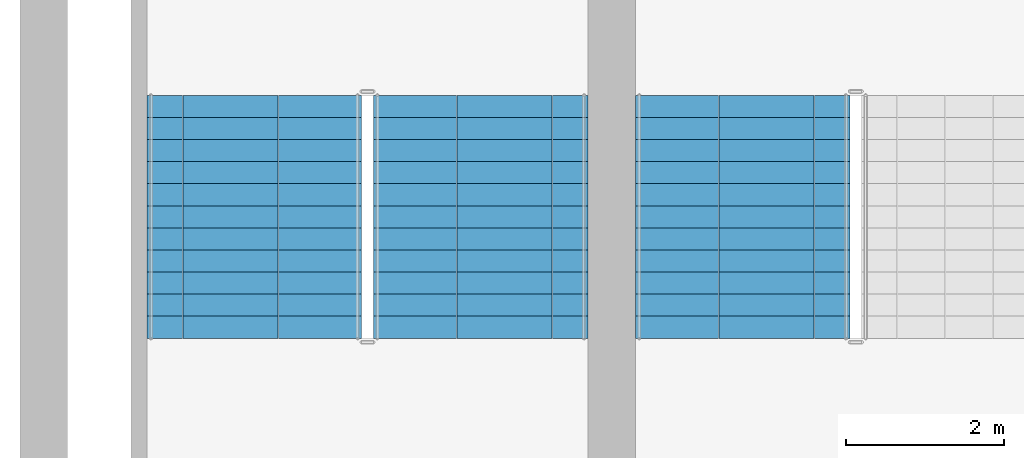
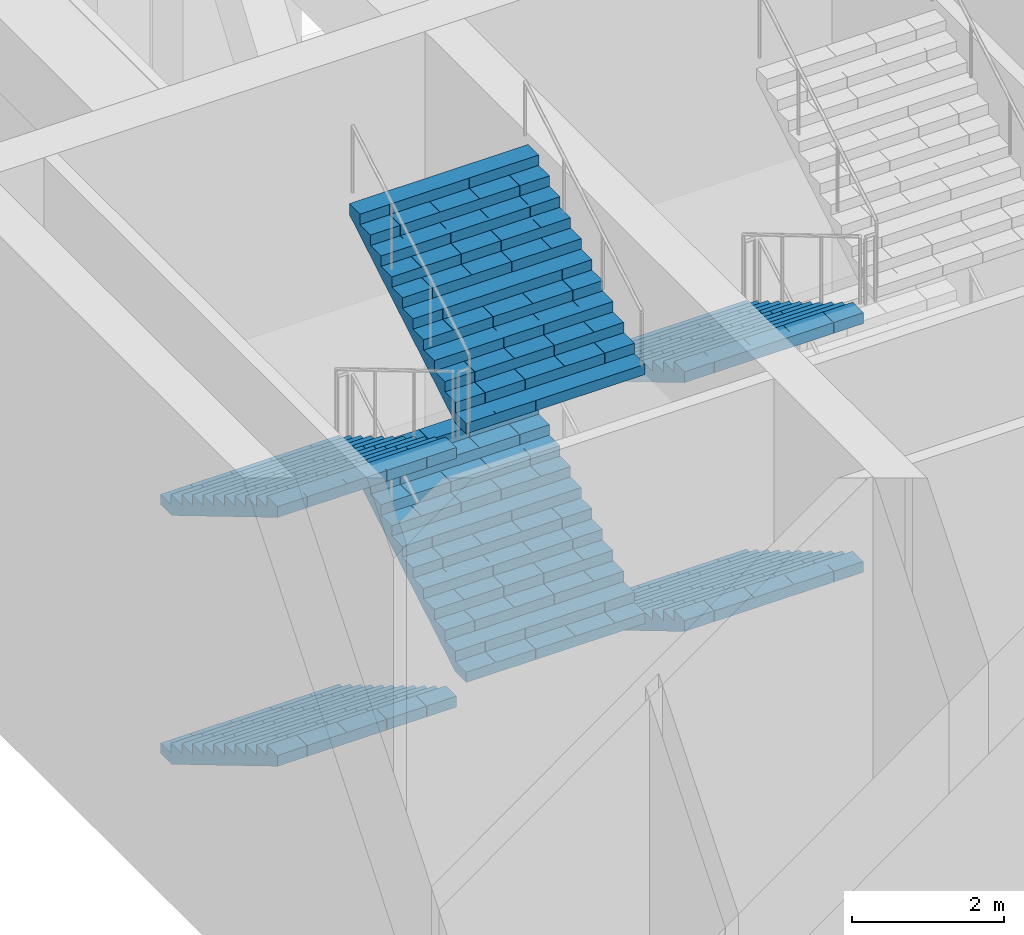
# One storey, part 12 of 20: 6 stair flights, 2 elements without a shape of their own.
"""IFC4 building model written with IfcOpenShell, lengths in metres."""

from ifc_helpers import new_model, si_unit, direction, frame, origin, place, context, subcontext, project, spatial, polyline, outline, extrude, material, type_object, element, aggregate, save


model = new_model("IFC4")

# Units and contexts
model_context = context("Model", 3, precision=1e-05, world=origin(), true_north=direction((0.0, 1.0)))
body_context = subcontext(model_context, "Body", "Model", "MODEL_VIEW")
ifc_project = project(units=[si_unit("LENGTHUNIT", "METRE"), si_unit("AREAUNIT", "SQUARE_METRE"), si_unit("VOLUMEUNIT", "CUBIC_METRE"), si_unit("PLANEANGLEUNIT", "RADIAN"), si_unit("MASSUNIT", "GRAM", prefix="KILO")], contexts=[model_context])

# Site, building, storey
site_placement = place(None, origin())
site = spatial("IfcSite", under=ifc_project, at=site_placement, CompositionType="ELEMENT")
building_placement = place(site_placement, origin())
building = spatial("IfcBuilding", under=site, at=building_placement, Name="Corbelhall Arena Tower", CompositionType="ELEMENT")
storey_placement = place(building_placement, frame((0.0, 0.0, 52.0)))
storey = spatial("IfcBuildingStorey", under=building, at=storey_placement, Name="L07", CompositionType="ELEMENT", Elevation=52.0)

# Stair, stair flights
ifc_material = material(Name="Reinforced concrete C40/50", Category="concrete")
stair_type = type_object("IfcStairType", Name="AR-EXIT-STAIR", PredefinedType="HALF_TURN_STAIR", material=ifc_material)
stair_1_placement = place(storey_placement, origin())
stair_1 = element("IfcStair", 1, at=stair_1_placement, inside=storey, type_object=stair_type, Name="L07 exit stair AS7", PredefinedType="HALF_TURN_STAIR")
stair_flight_type = type_object("IfcStairFlightType", Name="AR-EXIT-FLIGHT", PredefinedType="STRAIGHT", material=ifc_material)
stair_flight_1_placement = place(storey_placement, frame((-38.840087890625, -27.320068359375, 0.0), z_axis=(0.0, 0.0, 1.0), x_axis=(0.0, -1.0, 0.0)))
stair_flight_1 = element("IfcStairFlight", 2, at=stair_flight_1_placement, type_object=stair_flight_type, Name="AS7 flight 1", NumberOfRisers=12, NumberOfTreads=11, PredefinedType="STRAIGHT", RiserHeight=0.166666667, TreadLength=0.28, context=body_context, shape_type="SweptSolid", body=[
    extrude(outline(polyline([(0.0, 0.0), (0.0, 0.166748046875), (0.280029296875, 0.166748046875), (0.280029296875, 0.333251953125), (0.56005859375, 0.333251953125), (0.56005859375, 0.5), (0.840087890625, 0.5), (0.840087890625, 0.666748046875), (1.1201171875, 0.666748046875), (1.1201171875, 0.833251953125), (1.39990234375, 0.833251953125), (1.39990234375, 1.0), (1.679931640625, 1.0), (1.679931640625, 1.166748046875), (1.9599609375, 1.166748046875), (1.9599609375, 1.333251953125), (2.239990234375, 1.333251953125), (2.239990234375, 1.5), (2.52001953125, 1.5), (2.52001953125, 1.666748046875), (2.800048828125, 1.666748046875), (2.800048828125, 1.833251953125), (3.080078125, 1.833251953125), (3.080078125, 2.0), (3.080078125, 1.658935546875), (0.29296875, 0.0), (0.0, 0.0)])), frame((0.0, 1.35986328125, 0.0), z_axis=(0.0, -1.0, 0.0), x_axis=(1.0, 0.0, 0.0)), (0.0, 0.0, 1.0), 0.449951171875),
    extrude(outline(polyline([(0.0, 0.0), (0.0, 0.166748046875), (0.280029296875, 0.166748046875), (0.280029296875, 0.333251953125), (0.56005859375, 0.333251953125), (0.56005859375, 0.5), (0.840087890625, 0.5), (0.840087890625, 0.666748046875), (1.1201171875, 0.666748046875), (1.1201171875, 0.833251953125), (1.39990234375, 0.833251953125), (1.39990234375, 1.0), (1.679931640625, 1.0), (1.679931640625, 1.166748046875), (1.9599609375, 1.166748046875), (1.9599609375, 1.333251953125), (2.239990234375, 1.333251953125), (2.239990234375, 1.5), (2.52001953125, 1.5), (2.52001953125, 1.666748046875), (2.800048828125, 1.666748046875), (2.800048828125, 1.833251953125), (3.080078125, 1.833251953125), (3.080078125, 2.0), (3.080078125, 1.658935546875), (0.29296875, 0.0), (0.0, 0.0)])), frame((0.0, 0.906005859375, 0.0), z_axis=(0.0, -1.0, 0.0), x_axis=(1.0, 0.0, 0.0)), (0.0, 0.0, 1.0), 0.601318359375),
    extrude(outline(polyline([(0.0, 0.0), (0.0, 0.166748046875), (0.280029296875, 0.166748046875), (0.280029296875, 0.333251953125), (0.56005859375, 0.333251953125), (0.56005859375, 0.5), (0.840087890625, 0.5), (0.840087890625, 0.666748046875), (1.1201171875, 0.666748046875), (1.1201171875, 0.833251953125), (1.39990234375, 0.833251953125), (1.39990234375, 1.0), (1.679931640625, 1.0), (1.679931640625, 1.166748046875), (1.9599609375, 1.166748046875), (1.9599609375, 1.333251953125), (2.239990234375, 1.333251953125), (2.239990234375, 1.5), (2.52001953125, 1.5), (2.52001953125, 1.666748046875), (2.800048828125, 1.666748046875), (2.800048828125, 1.833251953125), (3.080078125, 1.833251953125), (3.080078125, 2.0), (3.080078125, 1.658935546875), (0.29296875, 0.0), (0.0, 0.0)])), frame((0.0, 0.30078125, 0.0), z_axis=(0.0, -1.0, 0.0), x_axis=(1.0, 0.0, 0.0)), (0.0, 0.0, 1.0), 0.601318359375),
    extrude(outline(polyline([(0.0, 0.0), (0.0, 0.166748046875), (0.280029296875, 0.166748046875), (0.280029296875, 0.333251953125), (0.56005859375, 0.333251953125), (0.56005859375, 0.5), (0.840087890625, 0.5), (0.840087890625, 0.666748046875), (1.1201171875, 0.666748046875), (1.1201171875, 0.833251953125), (1.39990234375, 0.833251953125), (1.39990234375, 1.0), (1.679931640625, 1.0), (1.679931640625, 1.166748046875), (1.9599609375, 1.166748046875), (1.9599609375, 1.333251953125), (2.239990234375, 1.333251953125), (2.239990234375, 1.5), (2.52001953125, 1.5), (2.52001953125, 1.666748046875), (2.800048828125, 1.666748046875), (2.800048828125, 1.833251953125), (3.080078125, 1.833251953125), (3.080078125, 2.0), (3.080078125, 1.658935546875), (0.29296875, 0.0), (0.0, 0.0)])), frame((0.0, -0.3046875, 0.0), z_axis=(0.0, -1.0, 0.0), x_axis=(1.0, 0.0, 0.0)), (0.0, 0.0, 1.0), 0.601318359375),
    extrude(outline(polyline([(0.0, 0.0), (0.0, 0.166748046875), (0.280029296875, 0.166748046875), (0.280029296875, 0.333251953125), (0.56005859375, 0.333251953125), (0.56005859375, 0.5), (0.840087890625, 0.5), (0.840087890625, 0.666748046875), (1.1201171875, 0.666748046875), (1.1201171875, 0.833251953125), (1.39990234375, 0.833251953125), (1.39990234375, 1.0), (1.679931640625, 1.0), (1.679931640625, 1.166748046875), (1.9599609375, 1.166748046875), (1.9599609375, 1.333251953125), (2.239990234375, 1.333251953125), (2.239990234375, 1.5), (2.52001953125, 1.5), (2.52001953125, 1.666748046875), (2.800048828125, 1.666748046875), (2.800048828125, 1.833251953125), (3.080078125, 1.833251953125), (3.080078125, 2.0), (3.080078125, 1.658935546875), (0.29296875, 0.0), (0.0, 0.0)])), frame((0.0, -0.909912109375, 0.0), z_axis=(0.0, -1.0, 0.0), x_axis=(1.0, 0.0, 0.0)), (0.0, 0.0, 1.0), 0.449951171875),
])
stair_flight_2_placement = place(storey_placement, frame((-38.840087890625, -27.320068359375, 4.0), z_axis=(0.0, 0.0, 1.0), x_axis=(0.0, -1.0, 0.0)))
stair_flight_2 = element("IfcStairFlight", 3, at=stair_flight_2_placement, type_object=stair_flight_type, Name="AS7 flight 3", NumberOfRisers=12, NumberOfTreads=11, PredefinedType="STRAIGHT", RiserHeight=0.166666667, TreadLength=0.28, context=body_context, shape_type="SweptSolid", body=[
    extrude(outline(polyline([(0.0, 0.0), (0.0, 0.166748046875), (0.280029296875, 0.166748046875), (0.280029296875, 0.333251953125), (0.56005859375, 0.333251953125), (0.56005859375, 0.5), (0.840087890625, 0.5), (0.840087890625, 0.666748046875), (1.1201171875, 0.666748046875), (1.1201171875, 0.833251953125), (1.39990234375, 0.833251953125), (1.39990234375, 1.0), (1.679931640625, 1.0), (1.679931640625, 1.166748046875), (1.9599609375, 1.166748046875), (1.9599609375, 1.333251953125), (2.239990234375, 1.333251953125), (2.239990234375, 1.5), (2.52001953125, 1.5), (2.52001953125, 1.666748046875), (2.800048828125, 1.666748046875), (2.800048828125, 1.833251953125), (3.080078125, 1.833251953125), (3.080078125, 2.0), (3.080078125, 1.658935546875), (0.29296875, 0.0), (0.0, 0.0)])), frame((0.0, 1.35986328125, 0.0), z_axis=(0.0, -1.0, 0.0), x_axis=(1.0, 0.0, 0.0)), (0.0, 0.0, 1.0), 0.449951171875),
    extrude(outline(polyline([(0.0, 0.0), (0.0, 0.166748046875), (0.280029296875, 0.166748046875), (0.280029296875, 0.333251953125), (0.56005859375, 0.333251953125), (0.56005859375, 0.5), (0.840087890625, 0.5), (0.840087890625, 0.666748046875), (1.1201171875, 0.666748046875), (1.1201171875, 0.833251953125), (1.39990234375, 0.833251953125), (1.39990234375, 1.0), (1.679931640625, 1.0), (1.679931640625, 1.166748046875), (1.9599609375, 1.166748046875), (1.9599609375, 1.333251953125), (2.239990234375, 1.333251953125), (2.239990234375, 1.5), (2.52001953125, 1.5), (2.52001953125, 1.666748046875), (2.800048828125, 1.666748046875), (2.800048828125, 1.833251953125), (3.080078125, 1.833251953125), (3.080078125, 2.0), (3.080078125, 1.658935546875), (0.29296875, 0.0), (0.0, 0.0)])), frame((0.0, 0.906005859375, 0.0), z_axis=(0.0, -1.0, 0.0), x_axis=(1.0, 0.0, 0.0)), (0.0, 0.0, 1.0), 0.601318359375),
    extrude(outline(polyline([(0.0, 0.0), (0.0, 0.166748046875), (0.280029296875, 0.166748046875), (0.280029296875, 0.333251953125), (0.56005859375, 0.333251953125), (0.56005859375, 0.5), (0.840087890625, 0.5), (0.840087890625, 0.666748046875), (1.1201171875, 0.666748046875), (1.1201171875, 0.833251953125), (1.39990234375, 0.833251953125), (1.39990234375, 1.0), (1.679931640625, 1.0), (1.679931640625, 1.166748046875), (1.9599609375, 1.166748046875), (1.9599609375, 1.333251953125), (2.239990234375, 1.333251953125), (2.239990234375, 1.5), (2.52001953125, 1.5), (2.52001953125, 1.666748046875), (2.800048828125, 1.666748046875), (2.800048828125, 1.833251953125), (3.080078125, 1.833251953125), (3.080078125, 2.0), (3.080078125, 1.658935546875), (0.29296875, 0.0), (0.0, 0.0)])), frame((0.0, 0.30078125, 0.0), z_axis=(0.0, -1.0, 0.0), x_axis=(1.0, 0.0, 0.0)), (0.0, 0.0, 1.0), 0.601318359375),
    extrude(outline(polyline([(0.0, 0.0), (0.0, 0.166748046875), (0.280029296875, 0.166748046875), (0.280029296875, 0.333251953125), (0.56005859375, 0.333251953125), (0.56005859375, 0.5), (0.840087890625, 0.5), (0.840087890625, 0.666748046875), (1.1201171875, 0.666748046875), (1.1201171875, 0.833251953125), (1.39990234375, 0.833251953125), (1.39990234375, 1.0), (1.679931640625, 1.0), (1.679931640625, 1.166748046875), (1.9599609375, 1.166748046875), (1.9599609375, 1.333251953125), (2.239990234375, 1.333251953125), (2.239990234375, 1.5), (2.52001953125, 1.5), (2.52001953125, 1.666748046875), (2.800048828125, 1.666748046875), (2.800048828125, 1.833251953125), (3.080078125, 1.833251953125), (3.080078125, 2.0), (3.080078125, 1.658935546875), (0.29296875, 0.0), (0.0, 0.0)])), frame((0.0, -0.3046875, 0.0), z_axis=(0.0, -1.0, 0.0), x_axis=(1.0, 0.0, 0.0)), (0.0, 0.0, 1.0), 0.601318359375),
    extrude(outline(polyline([(0.0, 0.0), (0.0, 0.166748046875), (0.280029296875, 0.166748046875), (0.280029296875, 0.333251953125), (0.56005859375, 0.333251953125), (0.56005859375, 0.5), (0.840087890625, 0.5), (0.840087890625, 0.666748046875), (1.1201171875, 0.666748046875), (1.1201171875, 0.833251953125), (1.39990234375, 0.833251953125), (1.39990234375, 1.0), (1.679931640625, 1.0), (1.679931640625, 1.166748046875), (1.9599609375, 1.166748046875), (1.9599609375, 1.333251953125), (2.239990234375, 1.333251953125), (2.239990234375, 1.5), (2.52001953125, 1.5), (2.52001953125, 1.666748046875), (2.800048828125, 1.666748046875), (2.800048828125, 1.833251953125), (3.080078125, 1.833251953125), (3.080078125, 2.0), (3.080078125, 1.658935546875), (0.29296875, 0.0), (0.0, 0.0)])), frame((0.0, -0.909912109375, 0.0), z_axis=(0.0, -1.0, 0.0), x_axis=(1.0, 0.0, 0.0)), (0.0, 0.0, 1.0), 0.449951171875),
])
aggregate(stair_1, [stair_flight_1, stair_flight_2])

stair_2_placement = place(storey_placement, origin())
stair_2 = element("IfcStair", 4, at=stair_2_placement, inside=storey, type_object=stair_type, Name="L07 exit stair AS8", PredefinedType="HALF_TURN_STAIR")
stair_flight_3_placement = place(storey_placement, frame((-45.030029296875, -27.320068359375, 0.0), z_axis=(0.0, 0.0, 1.0), x_axis=(0.0, -1.0, 0.0)))
stair_flight_3 = element("IfcStairFlight", 5, at=stair_flight_3_placement, type_object=stair_flight_type, Name="AS8 flight 1", NumberOfRisers=12, NumberOfTreads=11, PredefinedType="STRAIGHT", RiserHeight=0.166666667, TreadLength=0.28, context=body_context, shape_type="SweptSolid", body=[
    extrude(outline(polyline([(0.0, 0.0), (0.0, 0.166748046875), (0.280029296875, 0.166748046875), (0.280029296875, 0.333251953125), (0.56005859375, 0.333251953125), (0.56005859375, 0.5), (0.840087890625, 0.5), (0.840087890625, 0.666748046875), (1.1201171875, 0.666748046875), (1.1201171875, 0.833251953125), (1.39990234375, 0.833251953125), (1.39990234375, 1.0), (1.679931640625, 1.0), (1.679931640625, 1.166748046875), (1.9599609375, 1.166748046875), (1.9599609375, 1.333251953125), (2.239990234375, 1.333251953125), (2.239990234375, 1.5), (2.52001953125, 1.5), (2.52001953125, 1.666748046875), (2.800048828125, 1.666748046875), (2.800048828125, 1.833251953125), (3.080078125, 1.833251953125), (3.080078125, 2.0), (3.080078125, 1.658935546875), (0.29296875, 0.0), (0.0, 0.0)])), frame((0.0, 1.35986328125, 0.0), z_axis=(0.0, -1.0, 0.0), x_axis=(1.0, 0.0, 0.0)), (0.0, 0.0, 1.0), 0.449951171875),
    extrude(outline(polyline([(0.0, 0.0), (0.0, 0.166748046875), (0.280029296875, 0.166748046875), (0.280029296875, 0.333251953125), (0.56005859375, 0.333251953125), (0.56005859375, 0.5), (0.840087890625, 0.5), (0.840087890625, 0.666748046875), (1.1201171875, 0.666748046875), (1.1201171875, 0.833251953125), (1.39990234375, 0.833251953125), (1.39990234375, 1.0), (1.679931640625, 1.0), (1.679931640625, 1.166748046875), (1.9599609375, 1.166748046875), (1.9599609375, 1.333251953125), (2.239990234375, 1.333251953125), (2.239990234375, 1.5), (2.52001953125, 1.5), (2.52001953125, 1.666748046875), (2.800048828125, 1.666748046875), (2.800048828125, 1.833251953125), (3.080078125, 1.833251953125), (3.080078125, 2.0), (3.080078125, 1.658935546875), (0.29296875, 0.0), (0.0, 0.0)])), frame((0.0, 0.906005859375, 0.0), z_axis=(0.0, -1.0, 0.0), x_axis=(1.0, 0.0, 0.0)), (0.0, 0.0, 1.0), 0.601318359375),
    extrude(outline(polyline([(0.0, 0.0), (0.0, 0.166748046875), (0.280029296875, 0.166748046875), (0.280029296875, 0.333251953125), (0.56005859375, 0.333251953125), (0.56005859375, 0.5), (0.840087890625, 0.5), (0.840087890625, 0.666748046875), (1.1201171875, 0.666748046875), (1.1201171875, 0.833251953125), (1.39990234375, 0.833251953125), (1.39990234375, 1.0), (1.679931640625, 1.0), (1.679931640625, 1.166748046875), (1.9599609375, 1.166748046875), (1.9599609375, 1.333251953125), (2.239990234375, 1.333251953125), (2.239990234375, 1.5), (2.52001953125, 1.5), (2.52001953125, 1.666748046875), (2.800048828125, 1.666748046875), (2.800048828125, 1.833251953125), (3.080078125, 1.833251953125), (3.080078125, 2.0), (3.080078125, 1.658935546875), (0.29296875, 0.0), (0.0, 0.0)])), frame((0.0, 0.30078125, 0.0), z_axis=(0.0, -1.0, 0.0), x_axis=(1.0, 0.0, 0.0)), (0.0, 0.0, 1.0), 0.601318359375),
    extrude(outline(polyline([(0.0, 0.0), (0.0, 0.166748046875), (0.280029296875, 0.166748046875), (0.280029296875, 0.333251953125), (0.56005859375, 0.333251953125), (0.56005859375, 0.5), (0.840087890625, 0.5), (0.840087890625, 0.666748046875), (1.1201171875, 0.666748046875), (1.1201171875, 0.833251953125), (1.39990234375, 0.833251953125), (1.39990234375, 1.0), (1.679931640625, 1.0), (1.679931640625, 1.166748046875), (1.9599609375, 1.166748046875), (1.9599609375, 1.333251953125), (2.239990234375, 1.333251953125), (2.239990234375, 1.5), (2.52001953125, 1.5), (2.52001953125, 1.666748046875), (2.800048828125, 1.666748046875), (2.800048828125, 1.833251953125), (3.080078125, 1.833251953125), (3.080078125, 2.0), (3.080078125, 1.658935546875), (0.29296875, 0.0), (0.0, 0.0)])), frame((0.0, -0.3046875, 0.0), z_axis=(0.0, -1.0, 0.0), x_axis=(1.0, 0.0, 0.0)), (0.0, 0.0, 1.0), 0.601318359375),
    extrude(outline(polyline([(0.0, 0.0), (0.0, 0.166748046875), (0.280029296875, 0.166748046875), (0.280029296875, 0.333251953125), (0.56005859375, 0.333251953125), (0.56005859375, 0.5), (0.840087890625, 0.5), (0.840087890625, 0.666748046875), (1.1201171875, 0.666748046875), (1.1201171875, 0.833251953125), (1.39990234375, 0.833251953125), (1.39990234375, 1.0), (1.679931640625, 1.0), (1.679931640625, 1.166748046875), (1.9599609375, 1.166748046875), (1.9599609375, 1.333251953125), (2.239990234375, 1.333251953125), (2.239990234375, 1.5), (2.52001953125, 1.5), (2.52001953125, 1.666748046875), (2.800048828125, 1.666748046875), (2.800048828125, 1.833251953125), (3.080078125, 1.833251953125), (3.080078125, 2.0), (3.080078125, 1.658935546875), (0.29296875, 0.0), (0.0, 0.0)])), frame((0.0, -0.909912109375, 0.0), z_axis=(0.0, -1.0, 0.0), x_axis=(1.0, 0.0, 0.0)), (0.0, 0.0, 1.0), 0.449951171875),
])
stair_flight_4_placement = place(storey_placement, frame((-42.159912109375, -30.39990234375, 2.0), z_axis=(0.0, 0.0, 1.0), x_axis=(0.0, 1.0, 0.0)))
stair_flight_4 = element("IfcStairFlight", 6, at=stair_flight_4_placement, type_object=stair_flight_type, Name="AS8 flight 2", NumberOfRisers=12, NumberOfTreads=11, PredefinedType="STRAIGHT", RiserHeight=0.166666667, TreadLength=0.28, context=body_context, shape_type="SweptSolid", body=[
    extrude(outline(polyline([(0.0, 0.0), (0.0, 0.166748046875), (0.280029296875, 0.166748046875), (0.280029296875, 0.333251953125), (0.56005859375, 0.333251953125), (0.56005859375, 0.5), (0.840087890625, 0.5), (0.840087890625, 0.666748046875), (1.1201171875, 0.666748046875), (1.1201171875, 0.833251953125), (1.39990234375, 0.833251953125), (1.39990234375, 1.0), (1.679931640625, 1.0), (1.679931640625, 1.166748046875), (1.9599609375, 1.166748046875), (1.9599609375, 1.333251953125), (2.239990234375, 1.333251953125), (2.239990234375, 1.5), (2.52001953125, 1.5), (2.52001953125, 1.666748046875), (2.800048828125, 1.666748046875), (2.800048828125, 1.833251953125), (3.080078125, 1.833251953125), (3.080078125, 2.0), (3.080078125, 1.658935546875), (0.29296875, 0.0), (0.0, 0.0)])), frame((0.0, 1.35986328125, 0.0), z_axis=(0.0, -1.0, 0.0), x_axis=(1.0, 0.0, 0.0)), (0.0, 0.0, 1.0), 0.449951171875),
    extrude(outline(polyline([(0.0, 0.0), (0.0, 0.166748046875), (0.280029296875, 0.166748046875), (0.280029296875, 0.333251953125), (0.56005859375, 0.333251953125), (0.56005859375, 0.5), (0.840087890625, 0.5), (0.840087890625, 0.666748046875), (1.1201171875, 0.666748046875), (1.1201171875, 0.833251953125), (1.39990234375, 0.833251953125), (1.39990234375, 1.0), (1.679931640625, 1.0), (1.679931640625, 1.166748046875), (1.9599609375, 1.166748046875), (1.9599609375, 1.333251953125), (2.239990234375, 1.333251953125), (2.239990234375, 1.5), (2.52001953125, 1.5), (2.52001953125, 1.666748046875), (2.800048828125, 1.666748046875), (2.800048828125, 1.833251953125), (3.080078125, 1.833251953125), (3.080078125, 2.0), (3.080078125, 1.658935546875), (0.29296875, 0.0), (0.0, 0.0)])), frame((0.0, 0.906005859375, 0.0), z_axis=(0.0, -1.0, 0.0), x_axis=(1.0, 0.0, 0.0)), (0.0, 0.0, 1.0), 0.601318359375),
    extrude(outline(polyline([(0.0, 0.0), (0.0, 0.166748046875), (0.280029296875, 0.166748046875), (0.280029296875, 0.333251953125), (0.56005859375, 0.333251953125), (0.56005859375, 0.5), (0.840087890625, 0.5), (0.840087890625, 0.666748046875), (1.1201171875, 0.666748046875), (1.1201171875, 0.833251953125), (1.39990234375, 0.833251953125), (1.39990234375, 1.0), (1.679931640625, 1.0), (1.679931640625, 1.166748046875), (1.9599609375, 1.166748046875), (1.9599609375, 1.333251953125), (2.239990234375, 1.333251953125), (2.239990234375, 1.5), (2.52001953125, 1.5), (2.52001953125, 1.666748046875), (2.800048828125, 1.666748046875), (2.800048828125, 1.833251953125), (3.080078125, 1.833251953125), (3.080078125, 2.0), (3.080078125, 1.658935546875), (0.29296875, 0.0), (0.0, 0.0)])), frame((0.0, 0.30078125, 0.0), z_axis=(0.0, -1.0, 0.0), x_axis=(1.0, 0.0, 0.0)), (0.0, 0.0, 1.0), 0.601318359375),
    extrude(outline(polyline([(0.0, 0.0), (0.0, 0.166748046875), (0.280029296875, 0.166748046875), (0.280029296875, 0.333251953125), (0.56005859375, 0.333251953125), (0.56005859375, 0.5), (0.840087890625, 0.5), (0.840087890625, 0.666748046875), (1.1201171875, 0.666748046875), (1.1201171875, 0.833251953125), (1.39990234375, 0.833251953125), (1.39990234375, 1.0), (1.679931640625, 1.0), (1.679931640625, 1.166748046875), (1.9599609375, 1.166748046875), (1.9599609375, 1.333251953125), (2.239990234375, 1.333251953125), (2.239990234375, 1.5), (2.52001953125, 1.5), (2.52001953125, 1.666748046875), (2.800048828125, 1.666748046875), (2.800048828125, 1.833251953125), (3.080078125, 1.833251953125), (3.080078125, 2.0), (3.080078125, 1.658935546875), (0.29296875, 0.0), (0.0, 0.0)])), frame((0.0, -0.3046875, 0.0), z_axis=(0.0, -1.0, 0.0), x_axis=(1.0, 0.0, 0.0)), (0.0, 0.0, 1.0), 0.601318359375),
    extrude(outline(polyline([(0.0, 0.0), (0.0, 0.166748046875), (0.280029296875, 0.166748046875), (0.280029296875, 0.333251953125), (0.56005859375, 0.333251953125), (0.56005859375, 0.5), (0.840087890625, 0.5), (0.840087890625, 0.666748046875), (1.1201171875, 0.666748046875), (1.1201171875, 0.833251953125), (1.39990234375, 0.833251953125), (1.39990234375, 1.0), (1.679931640625, 1.0), (1.679931640625, 1.166748046875), (1.9599609375, 1.166748046875), (1.9599609375, 1.333251953125), (2.239990234375, 1.333251953125), (2.239990234375, 1.5), (2.52001953125, 1.5), (2.52001953125, 1.666748046875), (2.800048828125, 1.666748046875), (2.800048828125, 1.833251953125), (3.080078125, 1.833251953125), (3.080078125, 2.0), (3.080078125, 1.658935546875), (0.29296875, 0.0), (0.0, 0.0)])), frame((0.0, -0.909912109375, 0.0), z_axis=(0.0, -1.0, 0.0), x_axis=(1.0, 0.0, 0.0)), (0.0, 0.0, 1.0), 0.449951171875),
])
stair_flight_5_placement = place(storey_placement, frame((-45.030029296875, -27.320068359375, 4.0), z_axis=(0.0, 0.0, 1.0), x_axis=(0.0, -1.0, 0.0)))
stair_flight_5 = element("IfcStairFlight", 7, at=stair_flight_5_placement, type_object=stair_flight_type, Name="AS8 flight 3", NumberOfRisers=12, NumberOfTreads=11, PredefinedType="STRAIGHT", RiserHeight=0.166666667, TreadLength=0.28, context=body_context, shape_type="SweptSolid", body=[
    extrude(outline(polyline([(0.0, 0.0), (0.0, 0.166748046875), (0.280029296875, 0.166748046875), (0.280029296875, 0.333251953125), (0.56005859375, 0.333251953125), (0.56005859375, 0.5), (0.840087890625, 0.5), (0.840087890625, 0.666748046875), (1.1201171875, 0.666748046875), (1.1201171875, 0.833251953125), (1.39990234375, 0.833251953125), (1.39990234375, 1.0), (1.679931640625, 1.0), (1.679931640625, 1.166748046875), (1.9599609375, 1.166748046875), (1.9599609375, 1.333251953125), (2.239990234375, 1.333251953125), (2.239990234375, 1.5), (2.52001953125, 1.5), (2.52001953125, 1.666748046875), (2.800048828125, 1.666748046875), (2.800048828125, 1.833251953125), (3.080078125, 1.833251953125), (3.080078125, 2.0), (3.080078125, 1.658935546875), (0.29296875, 0.0), (0.0, 0.0)])), frame((0.0, 1.35986328125, 0.0), z_axis=(0.0, -1.0, 0.0), x_axis=(1.0, 0.0, 0.0)), (0.0, 0.0, 1.0), 0.449951171875),
    extrude(outline(polyline([(0.0, 0.0), (0.0, 0.166748046875), (0.280029296875, 0.166748046875), (0.280029296875, 0.333251953125), (0.56005859375, 0.333251953125), (0.56005859375, 0.5), (0.840087890625, 0.5), (0.840087890625, 0.666748046875), (1.1201171875, 0.666748046875), (1.1201171875, 0.833251953125), (1.39990234375, 0.833251953125), (1.39990234375, 1.0), (1.679931640625, 1.0), (1.679931640625, 1.166748046875), (1.9599609375, 1.166748046875), (1.9599609375, 1.333251953125), (2.239990234375, 1.333251953125), (2.239990234375, 1.5), (2.52001953125, 1.5), (2.52001953125, 1.666748046875), (2.800048828125, 1.666748046875), (2.800048828125, 1.833251953125), (3.080078125, 1.833251953125), (3.080078125, 2.0), (3.080078125, 1.658935546875), (0.29296875, 0.0), (0.0, 0.0)])), frame((0.0, 0.906005859375, 0.0), z_axis=(0.0, -1.0, 0.0), x_axis=(1.0, 0.0, 0.0)), (0.0, 0.0, 1.0), 0.601318359375),
    extrude(outline(polyline([(0.0, 0.0), (0.0, 0.166748046875), (0.280029296875, 0.166748046875), (0.280029296875, 0.333251953125), (0.56005859375, 0.333251953125), (0.56005859375, 0.5), (0.840087890625, 0.5), (0.840087890625, 0.666748046875), (1.1201171875, 0.666748046875), (1.1201171875, 0.833251953125), (1.39990234375, 0.833251953125), (1.39990234375, 1.0), (1.679931640625, 1.0), (1.679931640625, 1.166748046875), (1.9599609375, 1.166748046875), (1.9599609375, 1.333251953125), (2.239990234375, 1.333251953125), (2.239990234375, 1.5), (2.52001953125, 1.5), (2.52001953125, 1.666748046875), (2.800048828125, 1.666748046875), (2.800048828125, 1.833251953125), (3.080078125, 1.833251953125), (3.080078125, 2.0), (3.080078125, 1.658935546875), (0.29296875, 0.0), (0.0, 0.0)])), frame((0.0, 0.30078125, 0.0), z_axis=(0.0, -1.0, 0.0), x_axis=(1.0, 0.0, 0.0)), (0.0, 0.0, 1.0), 0.601318359375),
    extrude(outline(polyline([(0.0, 0.0), (0.0, 0.166748046875), (0.280029296875, 0.166748046875), (0.280029296875, 0.333251953125), (0.56005859375, 0.333251953125), (0.56005859375, 0.5), (0.840087890625, 0.5), (0.840087890625, 0.666748046875), (1.1201171875, 0.666748046875), (1.1201171875, 0.833251953125), (1.39990234375, 0.833251953125), (1.39990234375, 1.0), (1.679931640625, 1.0), (1.679931640625, 1.166748046875), (1.9599609375, 1.166748046875), (1.9599609375, 1.333251953125), (2.239990234375, 1.333251953125), (2.239990234375, 1.5), (2.52001953125, 1.5), (2.52001953125, 1.666748046875), (2.800048828125, 1.666748046875), (2.800048828125, 1.833251953125), (3.080078125, 1.833251953125), (3.080078125, 2.0), (3.080078125, 1.658935546875), (0.29296875, 0.0), (0.0, 0.0)])), frame((0.0, -0.3046875, 0.0), z_axis=(0.0, -1.0, 0.0), x_axis=(1.0, 0.0, 0.0)), (0.0, 0.0, 1.0), 0.601318359375),
    extrude(outline(polyline([(0.0, 0.0), (0.0, 0.166748046875), (0.280029296875, 0.166748046875), (0.280029296875, 0.333251953125), (0.56005859375, 0.333251953125), (0.56005859375, 0.5), (0.840087890625, 0.5), (0.840087890625, 0.666748046875), (1.1201171875, 0.666748046875), (1.1201171875, 0.833251953125), (1.39990234375, 0.833251953125), (1.39990234375, 1.0), (1.679931640625, 1.0), (1.679931640625, 1.166748046875), (1.9599609375, 1.166748046875), (1.9599609375, 1.333251953125), (2.239990234375, 1.333251953125), (2.239990234375, 1.5), (2.52001953125, 1.5), (2.52001953125, 1.666748046875), (2.800048828125, 1.666748046875), (2.800048828125, 1.833251953125), (3.080078125, 1.833251953125), (3.080078125, 2.0), (3.080078125, 1.658935546875), (0.29296875, 0.0), (0.0, 0.0)])), frame((0.0, -0.909912109375, 0.0), z_axis=(0.0, -1.0, 0.0), x_axis=(1.0, 0.0, 0.0)), (0.0, 0.0, 1.0), 0.449951171875),
])
stair_flight_6_placement = place(storey_placement, frame((-42.159912109375, -30.39990234375, 6.0), z_axis=(0.0, 0.0, 1.0), x_axis=(0.0, 1.0, 0.0)))
stair_flight_6 = element("IfcStairFlight", 8, at=stair_flight_6_placement, type_object=stair_flight_type, Name="AS8 flight 4", NumberOfRisers=12, NumberOfTreads=11, PredefinedType="STRAIGHT", RiserHeight=0.166666667, TreadLength=0.28, context=body_context, shape_type="SweptSolid", body=[
    extrude(outline(polyline([(0.0, 0.0), (0.0, 0.166748046875), (0.280029296875, 0.166748046875), (0.280029296875, 0.333251953125), (0.56005859375, 0.333251953125), (0.56005859375, 0.5), (0.840087890625, 0.5), (0.840087890625, 0.666748046875), (1.1201171875, 0.666748046875), (1.1201171875, 0.833251953125), (1.39990234375, 0.833251953125), (1.39990234375, 1.0), (1.679931640625, 1.0), (1.679931640625, 1.166748046875), (1.9599609375, 1.166748046875), (1.9599609375, 1.333251953125), (2.239990234375, 1.333251953125), (2.239990234375, 1.5), (2.52001953125, 1.5), (2.52001953125, 1.666748046875), (2.800048828125, 1.666748046875), (2.800048828125, 1.833251953125), (3.080078125, 1.833251953125), (3.080078125, 2.0), (3.080078125, 1.658935546875), (0.29296875, 0.0), (0.0, 0.0)])), frame((0.0, 1.35986328125, 0.0), z_axis=(0.0, -1.0, 0.0), x_axis=(1.0, 0.0, 0.0)), (0.0, 0.0, 1.0), 0.449951171875),
    extrude(outline(polyline([(0.0, 0.0), (0.0, 0.166748046875), (0.280029296875, 0.166748046875), (0.280029296875, 0.333251953125), (0.56005859375, 0.333251953125), (0.56005859375, 0.5), (0.840087890625, 0.5), (0.840087890625, 0.666748046875), (1.1201171875, 0.666748046875), (1.1201171875, 0.833251953125), (1.39990234375, 0.833251953125), (1.39990234375, 1.0), (1.679931640625, 1.0), (1.679931640625, 1.166748046875), (1.9599609375, 1.166748046875), (1.9599609375, 1.333251953125), (2.239990234375, 1.333251953125), (2.239990234375, 1.5), (2.52001953125, 1.5), (2.52001953125, 1.666748046875), (2.800048828125, 1.666748046875), (2.800048828125, 1.833251953125), (3.080078125, 1.833251953125), (3.080078125, 2.0), (3.080078125, 1.658935546875), (0.29296875, 0.0), (0.0, 0.0)])), frame((0.0, 0.906005859375, 0.0), z_axis=(0.0, -1.0, 0.0), x_axis=(1.0, 0.0, 0.0)), (0.0, 0.0, 1.0), 0.601318359375),
    extrude(outline(polyline([(0.0, 0.0), (0.0, 0.166748046875), (0.280029296875, 0.166748046875), (0.280029296875, 0.333251953125), (0.56005859375, 0.333251953125), (0.56005859375, 0.5), (0.840087890625, 0.5), (0.840087890625, 0.666748046875), (1.1201171875, 0.666748046875), (1.1201171875, 0.833251953125), (1.39990234375, 0.833251953125), (1.39990234375, 1.0), (1.679931640625, 1.0), (1.679931640625, 1.166748046875), (1.9599609375, 1.166748046875), (1.9599609375, 1.333251953125), (2.239990234375, 1.333251953125), (2.239990234375, 1.5), (2.52001953125, 1.5), (2.52001953125, 1.666748046875), (2.800048828125, 1.666748046875), (2.800048828125, 1.833251953125), (3.080078125, 1.833251953125), (3.080078125, 2.0), (3.080078125, 1.658935546875), (0.29296875, 0.0), (0.0, 0.0)])), frame((0.0, 0.30078125, 0.0), z_axis=(0.0, -1.0, 0.0), x_axis=(1.0, 0.0, 0.0)), (0.0, 0.0, 1.0), 0.601318359375),
    extrude(outline(polyline([(0.0, 0.0), (0.0, 0.166748046875), (0.280029296875, 0.166748046875), (0.280029296875, 0.333251953125), (0.56005859375, 0.333251953125), (0.56005859375, 0.5), (0.840087890625, 0.5), (0.840087890625, 0.666748046875), (1.1201171875, 0.666748046875), (1.1201171875, 0.833251953125), (1.39990234375, 0.833251953125), (1.39990234375, 1.0), (1.679931640625, 1.0), (1.679931640625, 1.166748046875), (1.9599609375, 1.166748046875), (1.9599609375, 1.333251953125), (2.239990234375, 1.333251953125), (2.239990234375, 1.5), (2.52001953125, 1.5), (2.52001953125, 1.666748046875), (2.800048828125, 1.666748046875), (2.800048828125, 1.833251953125), (3.080078125, 1.833251953125), (3.080078125, 2.0), (3.080078125, 1.658935546875), (0.29296875, 0.0), (0.0, 0.0)])), frame((0.0, -0.3046875, 0.0), z_axis=(0.0, -1.0, 0.0), x_axis=(1.0, 0.0, 0.0)), (0.0, 0.0, 1.0), 0.601318359375),
    extrude(outline(polyline([(0.0, 0.0), (0.0, 0.166748046875), (0.280029296875, 0.166748046875), (0.280029296875, 0.333251953125), (0.56005859375, 0.333251953125), (0.56005859375, 0.5), (0.840087890625, 0.5), (0.840087890625, 0.666748046875), (1.1201171875, 0.666748046875), (1.1201171875, 0.833251953125), (1.39990234375, 0.833251953125), (1.39990234375, 1.0), (1.679931640625, 1.0), (1.679931640625, 1.166748046875), (1.9599609375, 1.166748046875), (1.9599609375, 1.333251953125), (2.239990234375, 1.333251953125), (2.239990234375, 1.5), (2.52001953125, 1.5), (2.52001953125, 1.666748046875), (2.800048828125, 1.666748046875), (2.800048828125, 1.833251953125), (3.080078125, 1.833251953125), (3.080078125, 2.0), (3.080078125, 1.658935546875), (0.29296875, 0.0), (0.0, 0.0)])), frame((0.0, -0.909912109375, 0.0), z_axis=(0.0, -1.0, 0.0), x_axis=(1.0, 0.0, 0.0)), (0.0, 0.0, 1.0), 0.449951171875),
])
aggregate(stair_2, [stair_flight_3, stair_flight_4, stair_flight_5, stair_flight_6])

save(model, "model.ifc")
